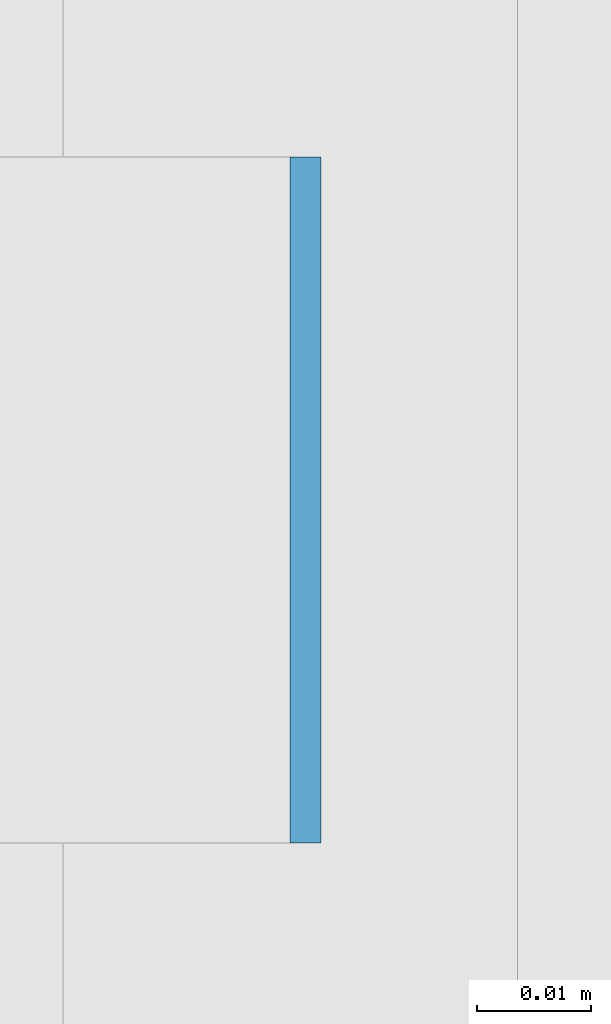
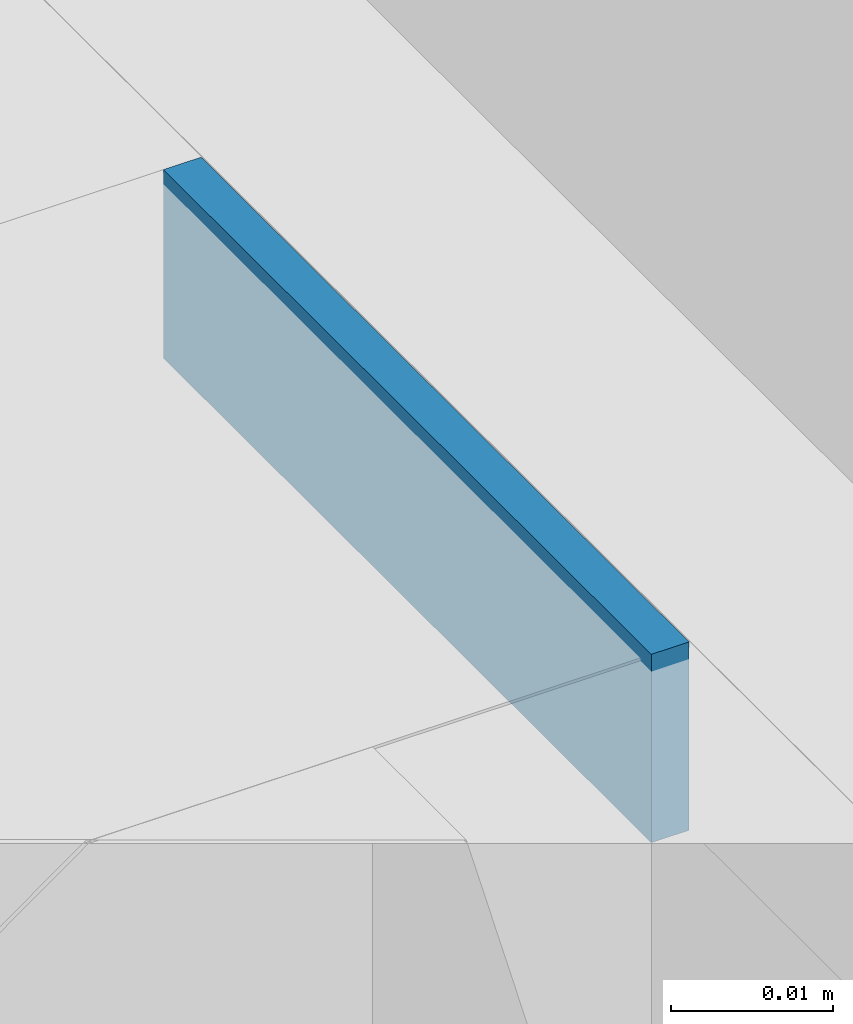
# One storey, part 261 of 646: 1 discrete accessory.
"""IFC4 building model written with IfcOpenShell, lengths in metres."""

from ifc_helpers import new_model, si_unit, direction, frame, origin, origin_2d, place, context, subcontext, project, spatial, rectangle, extrude, material, type_object, element, save


model = new_model("IFC4")

# Units and contexts
model_context = context("Model", 3, precision=1e-05, world=origin(), true_north=direction((0.0, 1.0)))
body_context = subcontext(model_context, "Body", "Model", "MODEL_VIEW")
ifc_project = project(units=[si_unit("LENGTHUNIT", "METRE"), si_unit("AREAUNIT", "SQUARE_METRE"), si_unit("VOLUMEUNIT", "CUBIC_METRE"), si_unit("PLANEANGLEUNIT", "RADIAN"), si_unit("MASSUNIT", "GRAM", prefix="KILO")], contexts=[model_context])

# Site, building, storey
site_placement = place(None, origin())
site = spatial("IfcSite", under=ifc_project, at=site_placement, CompositionType="ELEMENT")
building_placement = place(site_placement, origin())
building = spatial("IfcBuilding", under=site, at=building_placement, Name="Silverbay Arena", CompositionType="ELEMENT")
storey_placement = place(building_placement, frame((0.0, 0.0, 33.5)))
storey = spatial("IfcBuildingStorey", under=building, at=storey_placement, Name="L05", CompositionType="ELEMENT", Elevation=33.5)

# Discrete accessory
ifc_material = material(Name="Steel S355", Category="steel")
discrete_accessory_type = type_object("IfcDiscreteAccessoryType", Name="Steel bracket plate", PredefinedType="BRACKET", material=ifc_material)
discrete_accessory_placement = place(storey_placement, frame((53.871337890625, 41.142822265625, 12.98583984375), z_axis=(0.0, 0.0, 1.0), x_axis=(1.0, 0.0, 0.0)))
element("IfcDiscreteAccessory", 1, at=discrete_accessory_placement, inside=storey, type_object=discrete_accessory_type, Name="Curtain wall packing plate", PredefinedType="BRACKET", context=body_context, shape_type="SweptSolid", body=[
    extrude(rectangle(XDim=0.002685546875, YDim=0.06005859375, at=origin_2d()), origin(), (0.0, 0.0, 1.0), 0.01416015625),
])

save(model, "model.ifc")
